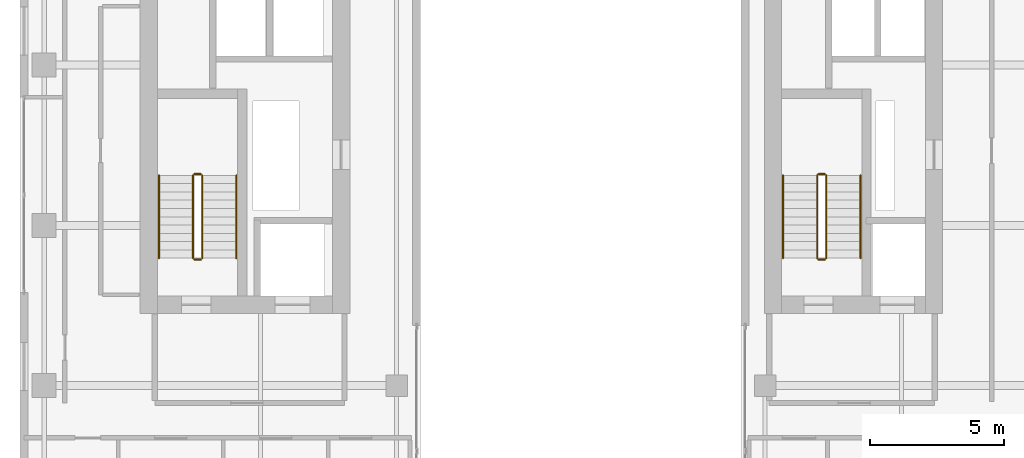
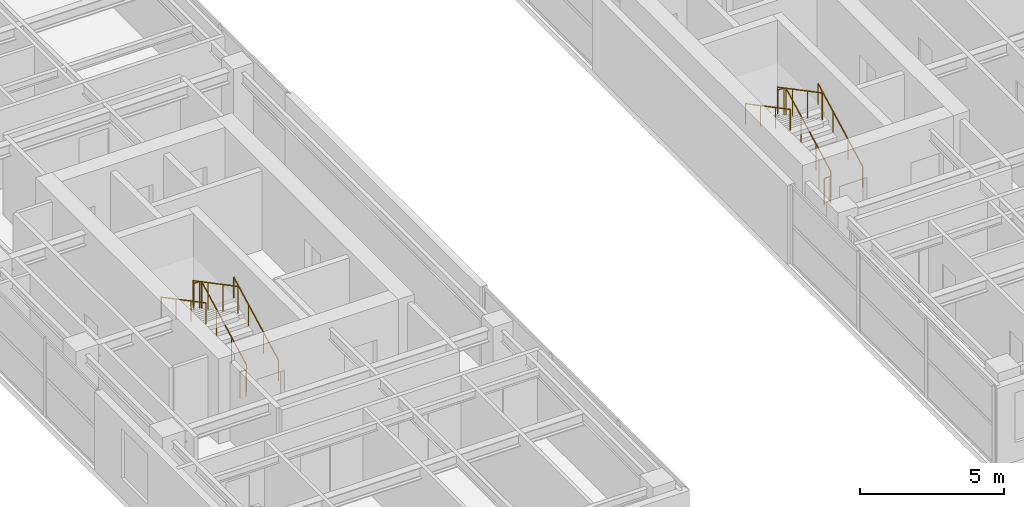
# One storey, part 20 of 20: 12 railings.
"""IFC4 building model written with IfcOpenShell, lengths in metres."""

from ifc_helpers import new_model, si_unit, direction, frame, origin, origin_2d, place, context, subcontext, project, spatial, circle, extrude, material, type_object, element, save


model = new_model("IFC4")

# Units and contexts
model_context = context("Model", 3, precision=1e-05, world=origin(), true_north=direction((0.0, 1.0)))
body_context = subcontext(model_context, "Body", "Model", "MODEL_VIEW")
ifc_project = project(units=[si_unit("LENGTHUNIT", "METRE"), si_unit("AREAUNIT", "SQUARE_METRE"), si_unit("VOLUMEUNIT", "CUBIC_METRE"), si_unit("PLANEANGLEUNIT", "RADIAN"), si_unit("MASSUNIT", "GRAM", prefix="KILO")], contexts=[model_context])

# Site, building, storey
site_placement = place(None, origin())
site = spatial("IfcSite", under=ifc_project, at=site_placement, CompositionType="ELEMENT")
building_placement = place(site_placement, origin())
building = spatial("IfcBuilding", under=site, at=building_placement, Name="Khoralis Quay Care Tower", CompositionType="ELEMENT")
storey_placement = place(building_placement, frame((0.0, 0.0, 198.89990234375)))
storey = spatial("IfcBuildingStorey", under=building, at=storey_placement, Name="L52", CompositionType="ELEMENT", Elevation=198.89990234375)

# Railings
ifc_material = material(Name="Brushed stainless steel", Category="steel")
railing_type_1 = type_object("IfcRailingType", Name="RL-GUARD-1150", PredefinedType="GUARDRAIL", material=ifc_material)
railing_1_placement = place(storey_placement, frame((9.820068359375, 16.77001953125, 0.163818359375)))
element("IfcRailing", 1, at=railing_1_placement, inside=storey, type_object=railing_type_1, Name="L52 ST-T1 stair guard 1", PredefinedType="GUARDRAIL", context=body_context, shape_type="SweptSolid", body=[
    extrude(circle(Radius=0.02392578125, at=origin_2d()), frame((0.0, 0.0, 1.1259765625), z_axis=(0.0, 0.884376766648, 0.46677375099), x_axis=(-1.0, 0.0, 0.0)), (0.0, 0.0, 1.0), 3.50537109375),
    extrude(circle(Radius=0.02099609375, at=origin_2d()), origin(), (0.0, 0.0, 1.0), 1.101806640625),
    extrude(circle(Radius=0.02099609375, at=origin_2d()), frame((0.0, 1.033447265625, 0.54541015625)), (0.0, 0.0, 1.0), 1.101806640625),
    extrude(circle(Radius=0.02099609375, at=origin_2d()), frame((0.0, 2.066650390625, 1.0908203125)), (0.0, 0.0, 1.0), 1.101806640625),
    extrude(circle(Radius=0.02099609375, at=origin_2d()), frame((0.0, 3.10009765625, 1.63623046875)), (0.0, 0.0, 1.0), 1.101806640625),
])
railing_2_placement = place(storey_placement, frame((9.77001953125, 19.919921875, 1.800048828125)))
element("IfcRailing", 2, at=railing_2_placement, inside=storey, type_object=railing_type_1, Name="L52 ST-T1 stair guard 2", PredefinedType="GUARDRAIL", context=body_context, shape_type="SweptSolid", body=[
    extrude(circle(Radius=0.02392578125, at=origin_2d()), frame((0.0, 0.0, 1.1259765625), z_axis=(-1.0, 0.0, 0.0), x_axis=(0.0, -1.0, 0.0)), (0.0, 0.0, 1.0), 0.239990234375),
    extrude(circle(Radius=0.02099609375, at=origin_2d()), origin(), (0.0, 0.0, 1.0), 1.101806640625),
    extrude(circle(Radius=0.02099609375, at=origin_2d()), frame((-0.239990234375, 0.0, 0.0)), (0.0, 0.0, 1.0), 1.101806640625),
])
railing_3_placement = place(storey_placement, frame((9.47998046875, 19.8701171875, 1.963623046875)))
element("IfcRailing", 3, at=railing_3_placement, inside=storey, type_object=railing_type_1, Name="L52 ST-T1 stair guard 3", PredefinedType="GUARDRAIL", context=body_context, shape_type="SweptSolid", body=[
    extrude(circle(Radius=0.02392578125, at=origin_2d()), frame((0.0, 0.0, 1.1259765625), z_axis=(0.0, -0.884348015382, 0.466828220752), x_axis=(1.0, 0.0, 0.0)), (0.0, 0.0, 1.0), 3.505615234375),
    extrude(circle(Radius=0.02099609375, at=origin_2d()), origin(), (0.0, 0.0, 1.0), 1.101806640625),
    extrude(circle(Radius=0.02099609375, at=origin_2d()), frame((0.0, -1.033447265625, 0.54541015625)), (0.0, 0.0, 1.0), 1.101806640625),
    extrude(circle(Radius=0.02099609375, at=origin_2d()), frame((0.0, -2.066650390625, 1.091064453125)), (0.0, 0.0, 1.0), 1.101806640625),
    extrude(circle(Radius=0.02099609375, at=origin_2d()), frame((0.0, -3.10009765625, 1.636474609375)), (0.0, 0.0, 1.0), 1.101806640625),
])
railing_4_placement = place(storey_placement, frame((9.77001953125, 16.719970703125, 0.0)))
element("IfcRailing", 4, at=railing_4_placement, inside=storey, type_object=railing_type_1, Name="L52 ST-T1 stair guard 4", PredefinedType="GUARDRAIL", context=body_context, shape_type="SweptSolid", body=[
    extrude(circle(Radius=0.02392578125, at=origin_2d()), frame((0.0, 0.0, 1.1259765625), z_axis=(-1.0, 0.0, 0.0), x_axis=(0.0, -1.0, 0.0)), (0.0, 0.0, 1.0), 0.239990234375),
    extrude(circle(Radius=0.02099609375, at=origin_2d()), origin(), (0.0, 0.0, 1.0), 1.101806640625),
    extrude(circle(Radius=0.02099609375, at=origin_2d()), frame((-0.239990234375, 0.0, 0.0)), (0.0, 0.0, 1.0), 1.101806640625),
])
railing_5_placement = place(storey_placement, frame((33.18994140625, 16.77001953125, 0.163818359375)))
element("IfcRailing", 5, at=railing_5_placement, inside=storey, type_object=railing_type_1, Name="L52 ST-T2 stair guard 1", PredefinedType="GUARDRAIL", context=body_context, shape_type="SweptSolid", body=[
    extrude(circle(Radius=0.02392578125, at=origin_2d()), frame((0.0, 0.0, 1.1259765625), z_axis=(0.0, 0.884376766648, 0.46677375099), x_axis=(-1.0, 0.0, 0.0)), (0.0, 0.0, 1.0), 3.50537109375),
    extrude(circle(Radius=0.02099609375, at=origin_2d()), origin(), (0.0, 0.0, 1.0), 1.101806640625),
    extrude(circle(Radius=0.02099609375, at=origin_2d()), frame((0.0, 1.033447265625, 0.54541015625)), (0.0, 0.0, 1.0), 1.101806640625),
    extrude(circle(Radius=0.02099609375, at=origin_2d()), frame((0.0, 2.066650390625, 1.0908203125)), (0.0, 0.0, 1.0), 1.101806640625),
    extrude(circle(Radius=0.02099609375, at=origin_2d()), frame((0.0, 3.10009765625, 1.63623046875)), (0.0, 0.0, 1.0), 1.101806640625),
])
railing_6_placement = place(storey_placement, frame((33.139892578125, 19.919921875, 1.800048828125)))
element("IfcRailing", 6, at=railing_6_placement, inside=storey, type_object=railing_type_1, Name="L52 ST-T2 stair guard 2", PredefinedType="GUARDRAIL", context=body_context, shape_type="SweptSolid", body=[
    extrude(circle(Radius=0.02392578125, at=origin_2d()), frame((0.0, 0.0, 1.1259765625), z_axis=(-1.0, 0.0, 0.0), x_axis=(0.0, -1.0, 0.0)), (0.0, 0.0, 1.0), 0.239990234375),
    extrude(circle(Radius=0.02099609375, at=origin_2d()), origin(), (0.0, 0.0, 1.0), 1.101806640625),
    extrude(circle(Radius=0.02099609375, at=origin_2d()), frame((-0.239990234375, 0.0, 0.0)), (0.0, 0.0, 1.0), 1.101806640625),
])
railing_7_placement = place(storey_placement, frame((32.85009765625, 19.8701171875, 1.963623046875)))
element("IfcRailing", 7, at=railing_7_placement, inside=storey, type_object=railing_type_1, Name="L52 ST-T2 stair guard 3", PredefinedType="GUARDRAIL", context=body_context, shape_type="SweptSolid", body=[
    extrude(circle(Radius=0.02392578125, at=origin_2d()), frame((0.0, 0.0, 1.1259765625), z_axis=(0.0, -0.884348015382, 0.466828220752), x_axis=(1.0, 0.0, 0.0)), (0.0, 0.0, 1.0), 3.505615234375),
    extrude(circle(Radius=0.02099609375, at=origin_2d()), origin(), (0.0, 0.0, 1.0), 1.101806640625),
    extrude(circle(Radius=0.02099609375, at=origin_2d()), frame((0.0, -1.033447265625, 0.54541015625)), (0.0, 0.0, 1.0), 1.101806640625),
    extrude(circle(Radius=0.02099609375, at=origin_2d()), frame((0.0, -2.066650390625, 1.091064453125)), (0.0, 0.0, 1.0), 1.101806640625),
    extrude(circle(Radius=0.02099609375, at=origin_2d()), frame((0.0, -3.10009765625, 1.636474609375)), (0.0, 0.0, 1.0), 1.101806640625),
])
railing_8_placement = place(storey_placement, frame((33.139892578125, 16.719970703125, 0.0)))
element("IfcRailing", 8, at=railing_8_placement, inside=storey, type_object=railing_type_1, Name="L52 ST-T2 stair guard 4", PredefinedType="GUARDRAIL", context=body_context, shape_type="SweptSolid", body=[
    extrude(circle(Radius=0.02392578125, at=origin_2d()), frame((0.0, 0.0, 1.1259765625), z_axis=(-1.0, 0.0, 0.0), x_axis=(0.0, -1.0, 0.0)), (0.0, 0.0, 1.0), 0.239990234375),
    extrude(circle(Radius=0.02099609375, at=origin_2d()), origin(), (0.0, 0.0, 1.0), 1.101806640625),
    extrude(circle(Radius=0.02099609375, at=origin_2d()), frame((-0.239990234375, 0.0, 0.0)), (0.0, 0.0, 1.0), 1.101806640625),
])
railing_type_2 = type_object("IfcRailingType", Name="RL-HAND-900", PredefinedType="HANDRAIL", material=ifc_material)
railing_9_placement = place(storey_placement, frame((11.10009765625, 16.77001953125, 0.163818359375)))
element("IfcRailing", 9, at=railing_9_placement, inside=storey, type_object=railing_type_2, Name="L52 ST-T1 stair handrail 1", PredefinedType="HANDRAIL", context=body_context, shape_type="SweptSolid", body=[
    extrude(circle(Radius=0.02392578125, at=origin_2d()), frame((0.0, 0.0, 0.8759765625), z_axis=(0.0, 0.884376766648, 0.46677375099), x_axis=(-1.0, 0.0, 0.0)), (0.0, 0.0, 1.0), 3.50537109375),
    extrude(circle(Radius=0.02099609375, at=origin_2d()), origin(), (0.0, 0.0, 1.0), 0.851806640625),
    extrude(circle(Radius=0.02099609375, at=origin_2d()), frame((0.0, 1.033447265625, 0.54541015625)), (0.0, 0.0, 1.0), 0.851806640625),
    extrude(circle(Radius=0.02099609375, at=origin_2d()), frame((0.0, 2.066650390625, 1.0908203125)), (0.0, 0.0, 1.0), 0.851806640625),
    extrude(circle(Radius=0.02099609375, at=origin_2d()), frame((0.0, 3.10009765625, 1.63623046875)), (0.0, 0.0, 1.0), 0.851806640625),
])
railing_10_placement = place(storey_placement, frame((8.199951171875, 19.8701171875, 1.963623046875)))
element("IfcRailing", 10, at=railing_10_placement, inside=storey, type_object=railing_type_2, Name="L52 ST-T1 stair handrail 2", PredefinedType="HANDRAIL", context=body_context, shape_type="SweptSolid", body=[
    extrude(circle(Radius=0.02392578125, at=origin_2d()), frame((0.0, 0.0, 0.8759765625), z_axis=(0.0, -0.884348015382, 0.466828220752), x_axis=(1.0, 0.0, 0.0)), (0.0, 0.0, 1.0), 3.505615234375),
    extrude(circle(Radius=0.02099609375, at=origin_2d()), origin(), (0.0, 0.0, 1.0), 0.851806640625),
    extrude(circle(Radius=0.02099609375, at=origin_2d()), frame((0.0, -1.033447265625, 0.54541015625)), (0.0, 0.0, 1.0), 0.851806640625),
    extrude(circle(Radius=0.02099609375, at=origin_2d()), frame((0.0, -2.066650390625, 1.091064453125)), (0.0, 0.0, 1.0), 0.851806640625),
    extrude(circle(Radius=0.02099609375, at=origin_2d()), frame((0.0, -3.10009765625, 1.636474609375)), (0.0, 0.0, 1.0), 0.851806640625),
])
railing_11_placement = place(storey_placement, frame((34.469970703125, 16.77001953125, 0.163818359375)))
element("IfcRailing", 11, at=railing_11_placement, inside=storey, type_object=railing_type_2, Name="L52 ST-T2 stair handrail 1", PredefinedType="HANDRAIL", context=body_context, shape_type="SweptSolid", body=[
    extrude(circle(Radius=0.02392578125, at=origin_2d()), frame((0.0, 0.0, 0.8759765625), z_axis=(0.0, 0.884376766648, 0.46677375099), x_axis=(-1.0, 0.0, 0.0)), (0.0, 0.0, 1.0), 3.50537109375),
    extrude(circle(Radius=0.02099609375, at=origin_2d()), origin(), (0.0, 0.0, 1.0), 0.851806640625),
    extrude(circle(Radius=0.02099609375, at=origin_2d()), frame((0.0, 1.033447265625, 0.54541015625)), (0.0, 0.0, 1.0), 0.851806640625),
    extrude(circle(Radius=0.02099609375, at=origin_2d()), frame((0.0, 2.066650390625, 1.0908203125)), (0.0, 0.0, 1.0), 0.851806640625),
    extrude(circle(Radius=0.02099609375, at=origin_2d()), frame((0.0, 3.10009765625, 1.63623046875)), (0.0, 0.0, 1.0), 0.851806640625),
])
railing_12_placement = place(storey_placement, frame((31.570068359375, 19.8701171875, 1.963623046875)))
element("IfcRailing", 12, at=railing_12_placement, inside=storey, type_object=railing_type_2, Name="L52 ST-T2 stair handrail 2", PredefinedType="HANDRAIL", context=body_context, shape_type="SweptSolid", body=[
    extrude(circle(Radius=0.02392578125, at=origin_2d()), frame((0.0, 0.0, 0.8759765625), z_axis=(0.0, -0.884348015382, 0.466828220752), x_axis=(1.0, 0.0, 0.0)), (0.0, 0.0, 1.0), 3.505615234375),
    extrude(circle(Radius=0.02099609375, at=origin_2d()), origin(), (0.0, 0.0, 1.0), 0.851806640625),
    extrude(circle(Radius=0.02099609375, at=origin_2d()), frame((0.0, -1.033447265625, 0.54541015625)), (0.0, 0.0, 1.0), 0.851806640625),
    extrude(circle(Radius=0.02099609375, at=origin_2d()), frame((0.0, -2.066650390625, 1.091064453125)), (0.0, 0.0, 1.0), 0.851806640625),
    extrude(circle(Radius=0.02099609375, at=origin_2d()), frame((0.0, -3.10009765625, 1.636474609375)), (0.0, 0.0, 1.0), 0.851806640625),
])

save(model, "model.ifc")
